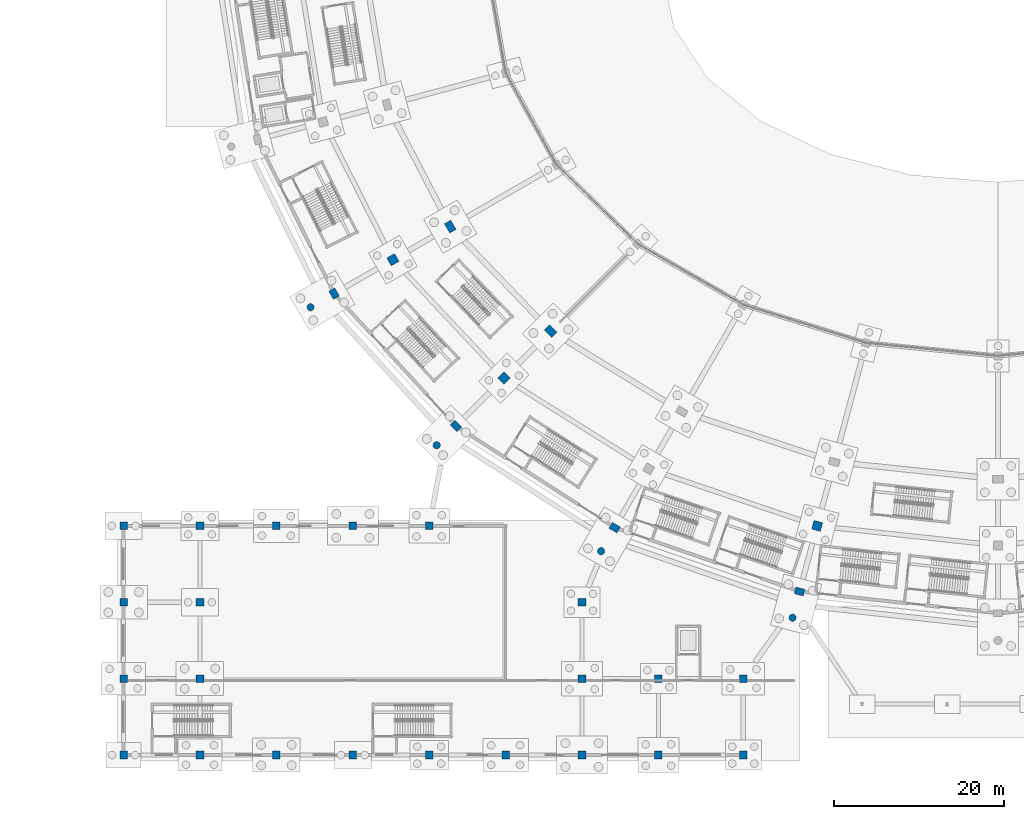
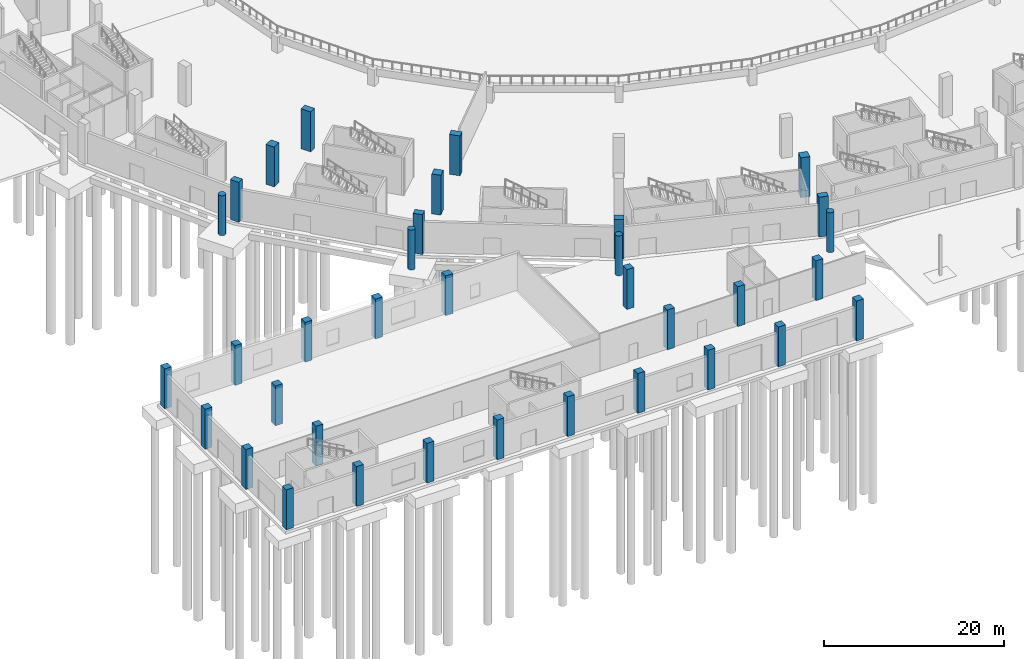
# One storey, part 16 of 103: 35 columns.
"""IFC4 building model written with IfcOpenShell, lengths in metres."""

from ifc_helpers import new_model, si_unit, direction, frame, origin, origin_2d, place, context, subcontext, project, spatial, rectangle, circle, extrude, material, material_profile, profile_set, type_object, element, save


model = new_model("IFC4")

# Units and contexts
model_context = context("Model", 3, precision=1e-05, world=origin(), true_north=direction((0.0, 1.0)))
body_context = subcontext(model_context, "Body", "Model", "MODEL_VIEW")
ifc_project = project(units=[si_unit("LENGTHUNIT", "METRE"), si_unit("AREAUNIT", "SQUARE_METRE"), si_unit("VOLUMEUNIT", "CUBIC_METRE"), si_unit("PLANEANGLEUNIT", "RADIAN"), si_unit("MASSUNIT", "GRAM", prefix="KILO")], contexts=[model_context])

# Site, building, storey
site_placement = place(None, origin())
site = spatial("IfcSite", under=ifc_project, at=site_placement, CompositionType="ELEMENT")
building_placement = place(site_placement, origin())
building = spatial("IfcBuilding", under=site, at=building_placement, Name="Zevraka Park Crest Stadium", CompositionType="ELEMENT")
storey_placement = place(building_placement, origin())
storey = spatial("IfcBuildingStorey", under=building, at=storey_placement, Name="L00", CompositionType="ELEMENT", Elevation=0.0)

# Columns
ifc_material_1 = material(Name="Concrete C40/50", Category="concrete")
ifc_material_profile_1 = material_profile(ifc_material_1, rectangle(XDim=0.85009765625, YDim=1.25, at=origin_2d()), Name="RC 1250x850")
ifc_profile_set_1 = profile_set([ifc_material_profile_1], Name="Concrete C40/50")
column_type_1 = type_object("IfcColumnType", Name="C01", PredefinedType="COLUMN", material=ifc_profile_set_1)
for number, where, z_axis, x_axis, name in (
    (1, (47.48095703125, 62.25, 0.0), (0.0, 0.0, 1.0), (0.866025403784, 0.5, 0.0), "Bowl Main Column C01 L00-B-14"),
    (2, (59.321044921875, 49.927001953125, 0.0), (0.0, 0.0, 1.0), (0.707106781187, 0.707106781187, 0.0), "Bowl Main Column C01 L00-B-15"),
):
    element("IfcColumn", number, at=place(storey_placement, frame(where, z_axis=z_axis, x_axis=x_axis)), inside=storey, type_object=column_type_1, Name=name, PredefinedType="COLUMN", context=body_context, shape_type="SweptSolid", body=[
        extrude(rectangle(XDim=0.85009765625, YDim=1.25, at=origin_2d()), origin(), (0.0, 0.0, 1.0), 5.39990234375),
    ])
ifc_material_2 = material(Name="Concrete C40/50", Category="concrete")
ifc_material_profile_2 = material_profile(ifc_material_2, rectangle(XDim=0.800048828125, YDim=1.10009765625, at=origin_2d()), Name="RC 1100x800")
ifc_profile_set_2 = profile_set([ifc_material_profile_2], Name="Concrete C40/50")
column_type_2 = type_object("IfcColumnType", Name="C02", PredefinedType="COLUMN", material=ifc_profile_set_2)
for number, where, z_axis, x_axis, name in (
    (3, (33.798095703125, 54.35009765625, 0.0), (0.0, 0.0, 1.0), (0.866025403784, 0.5, 0.0), "Perimeter Ring Column C02 L00-D-14"),
    (4, (48.14794921875, 38.7548828125, 0.0), (0.0, 0.0, 1.0), (0.707106781187, 0.707106781187, 0.0), "Perimeter Ring Column C02 L00-D-15"),
    (5, (66.85009765625, 26.7880859375, 0.0), (0.0, 0.0, 1.0), (0.5, 0.866025403784, 0.0), "Perimeter Ring Column C02 L00-D-16"),
    (6, (88.62890625, 19.26611328125, 0.0), (0.0, 0.0, 1.0), (0.258819045103, 0.965925826289, 0.0), "Perimeter Ring Column C02 L00-D-17"),
):
    element("IfcColumn", number, at=place(storey_placement, frame(where, z_axis=z_axis, x_axis=x_axis)), inside=storey, type_object=column_type_2, Name=name, PredefinedType="COLUMN", context=body_context, shape_type="SweptSolid", body=[
        extrude(rectangle(XDim=0.800048828125, YDim=1.10009765625, at=origin_2d()), origin(), (0.0, 0.0, 1.0), 5.39990234375),
    ])
ifc_material_3 = material(Name="Concrete C40/50", Category="concrete")
ifc_material_profile_3 = material_profile(ifc_material_3, rectangle(XDim=1.050048828125, YDim=1.050048828125, at=origin_2d()), Name="RC 1050x1050")
ifc_profile_set_3 = profile_set([ifc_material_profile_3], Name="Concrete C40/50")
column_type_3 = type_object("IfcColumnType", Name="C03", PredefinedType="COLUMN", material=ifc_profile_set_3)
for number, where, z_axis, x_axis, name in (
    (7, (40.72607421875, 58.35009765625, 0.0), (0.0, 0.0, 1.0), (0.866025403784, 0.5, 0.0), "Concourse Mid Column C03 L00-C-14"),
    (8, (53.804931640625, 44.412109375, 0.0), (0.0, 0.0, 1.0), (0.707106781187, 0.707106781187, 0.0), "Concourse Mid Column C03 L00-C-15"),
    (9, (90.698974609375, 26.992919921875, 0.0), (0.0, 0.0, 1.0), (0.258819045103, 0.965925826289, 0.0), "Concourse Mid Column C03 L00-C-17"),
):
    element("IfcColumn", number, at=place(storey_placement, frame(where, z_axis=z_axis, x_axis=x_axis)), inside=storey, type_object=column_type_3, Name=name, PredefinedType="COLUMN", context=body_context, shape_type="SweptSolid", body=[
        extrude(rectangle(XDim=1.050048828125, YDim=1.050048828125, at=origin_2d()), origin(), (0.0, 0.0, 1.0), 5.39990234375),
    ])
ifc_material_4 = material(Name="Concrete C40/50", Category="concrete")
ifc_material_profile_4 = material_profile(ifc_material_4, rectangle(XDim=0.89990234375, YDim=0.89990234375, at=origin_2d()), Name="RC 900x900")
ifc_profile_set_4 = profile_set([ifc_material_profile_4], Name="Concrete C40/50")
column_type_4 = type_object("IfcColumnType", Name="C04", PredefinedType="COLUMN", material=ifc_profile_set_4)
for number, where, z_axis, x_axis, name in (
    (10, (9.0, 0.0, 0.0), (0.0, 0.0, 1.0), (1.0, 0.0, 0.0), "Wing Column C04 L00-2/A"),
    (11, (9.0, 9.0, 0.0), (0.0, 0.0, 1.0), (1.0, 0.0, 0.0), "Wing Column C04 L00-2/B"),
    (12, (9.0, 18.0, 0.0), (0.0, 0.0, 1.0), (1.0, 0.0, 0.0), "Wing Column C04 L00-2/C"),
    (13, (9.0, 27.0, 0.0), (0.0, 0.0, 1.0), (1.0, 0.0, 0.0), "Wing Column C04 L00-2/D"),
    (14, (18.0, 0.0, 0.0), (0.0, 0.0, 1.0), (1.0, 0.0, 0.0), "Wing Column C04 L00-3/A"),
    (15, (18.0, 9.0, 0.0), (0.0, 0.0, 1.0), (1.0, 0.0, 0.0), "Wing Column C04 L00-3/B"),
    (16, (18.0, 18.0, 0.0), (0.0, 0.0, 1.0), (1.0, 0.0, 0.0), "Wing Column C04 L00-3/C"),
    (17, (18.0, 27.0, 0.0), (0.0, 0.0, 1.0), (1.0, 0.0, 0.0), "Wing Column C04 L00-3/D"),
    (18, (27.0, 0.0, 0.0), (0.0, 0.0, 1.0), (1.0, 0.0, 0.0), "Wing Column C04 L00-4/A"),
    (19, (27.0, 27.0, 0.0), (0.0, 0.0, 1.0), (1.0, 0.0, 0.0), "Wing Column C04 L00-4/D"),
    (20, (36.0, 0.0, 0.0), (0.0, 0.0, 1.0), (1.0, 0.0, 0.0), "Wing Column C04 L00-5/A"),
    (21, (36.0, 27.0, 0.0), (0.0, 0.0, 1.0), (1.0, 0.0, 0.0), "Wing Column C04 L00-5/D"),
    (22, (45.0, 0.0, 0.0), (0.0, 0.0, 1.0), (1.0, 0.0, 0.0), "Wing Column C04 L00-6/A"),
    (23, (45.0, 27.0, 0.0), (0.0, 0.0, 1.0), (1.0, 0.0, 0.0), "Wing Column C04 L00-6/D"),
    (24, (54.0, 0.0, 0.0), (0.0, 0.0, 1.0), (1.0, 0.0, 0.0), "Wing Column C04 L00-7/A"),
    (25, (63.0, 0.0, 0.0), (0.0, 0.0, 1.0), (1.0, 0.0, 0.0), "Wing Column C04 L00-8/A"),
    (26, (63.0, 9.0, 0.0), (0.0, 0.0, 1.0), (1.0, 0.0, 0.0), "Wing Column C04 L00-8/B"),
    (27, (63.0, 18.0, 0.0), (0.0, 0.0, 1.0), (1.0, 0.0, 0.0), "Wing Column C04 L00-8/C"),
    (28, (72.0, 0.0, 0.0), (0.0, 0.0, 1.0), (1.0, 0.0, 0.0), "Wing Column C04 L00-9/A"),
    (29, (72.0, 9.0, 0.0), (0.0, 0.0, 1.0), (1.0, 0.0, 0.0), "Wing Column C04 L00-9/B"),
    (30, (82.0, 0.0, 0.0), (0.0, 0.0, 1.0), (1.0, 0.0, 0.0), "Wing Column C04 L00-10/A"),
    (31, (82.0, 9.0, 0.0), (0.0, 0.0, 1.0), (1.0, 0.0, 0.0), "Wing Column C04 L00-10/B"),
):
    element("IfcColumn", number, at=place(storey_placement, frame(where, z_axis=z_axis, x_axis=x_axis)), inside=storey, type_object=column_type_4, Name=name, PredefinedType="COLUMN", context=body_context, shape_type="SweptSolid", body=[
        extrude(rectangle(XDim=0.89990234375, YDim=0.89990234375, at=origin_2d()), origin(), (0.0, 0.0, 1.0), 5.39990234375),
    ])
ifc_material_5 = material(Name="Concrete C40/50", Category="concrete")
ifc_material_profile_5 = material_profile(ifc_material_5, circle(Radius=0.425048828125, at=origin_2d()), Name="RC D850")
ifc_profile_set_5 = profile_set([ifc_material_profile_5], Name="Concrete C40/50")
column_type_5 = type_object("IfcColumnType", Name="C06", PredefinedType="COLUMN", material=ifc_profile_set_5)
for number, where, z_axis, x_axis, name in (
    (32, (31.027099609375, 52.75, 0.0), (0.0, 0.0, 1.0), (1.0, 0.0, 0.0), "Arcade Cumba Column C06 L00-E-14"),
    (33, (45.885986328125, 36.491943359375, 0.0), (0.0, 0.0, 1.0), (1.0, 0.0, 0.0), "Arcade Cumba Column C06 L00-E-15"),
    (34, (65.25, 24.01708984375, 0.0), (0.0, 0.0, 1.0), (1.0, 0.0, 0.0), "Arcade Cumba Column C06 L00-E-16"),
    (35, (87.800048828125, 16.175048828125, 0.0), (0.0, 0.0, 1.0), (1.0, 0.0, 0.0), "Arcade Cumba Column C06 L00-E-17"),
):
    element("IfcColumn", number, at=place(storey_placement, frame(where, z_axis=z_axis, x_axis=x_axis)), inside=storey, type_object=column_type_5, Name=name, PredefinedType="COLUMN", context=body_context, shape_type="SweptSolid", body=[
        extrude(circle(Radius=0.425048828125, at=origin_2d()), origin(), (0.0, 0.0, 1.0), 5.39990234375),
    ])

save(model, "model.ifc")
